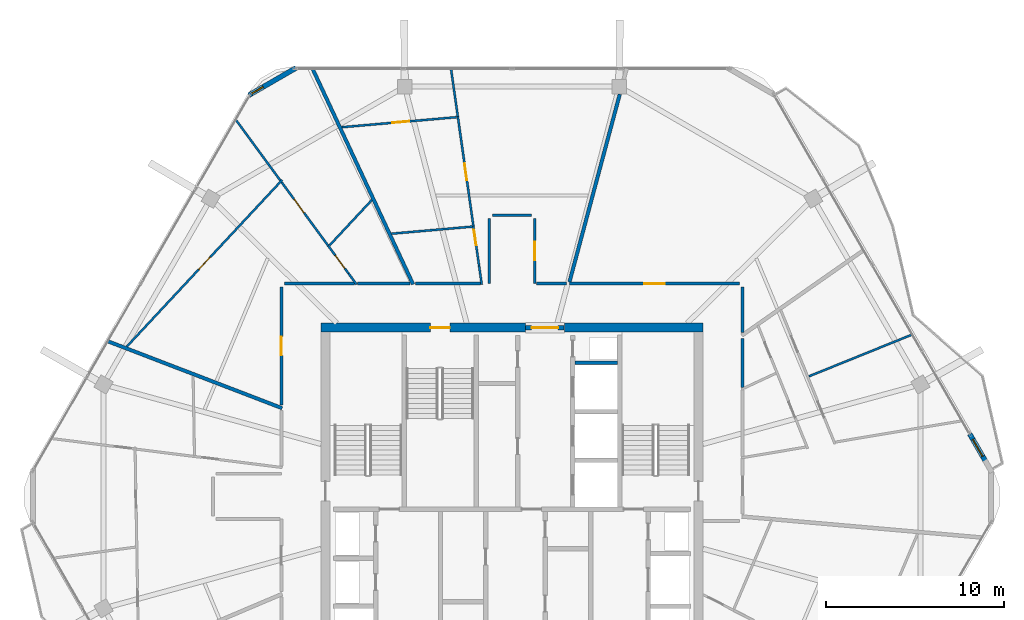
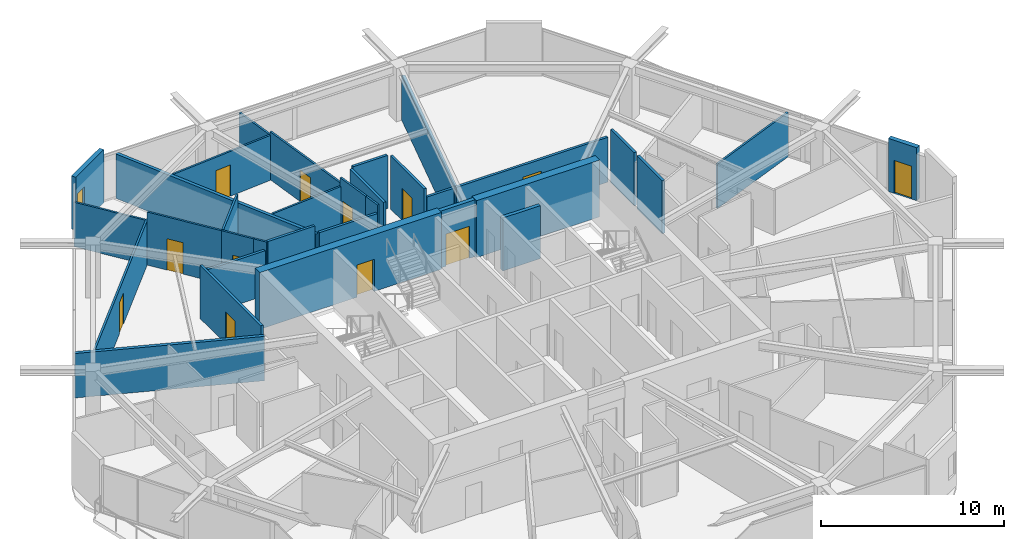
# One storey, part 17 of 21: 33 walls, 12 doors, 1 window, 13 openings.
"""IFC4 building model written with IfcOpenShell, lengths in metres."""

from ifc_helpers import new_model, si_unit, direction, frame, frame_2d, origin, place, context, subcontext, project, spatial, rectangle, extrude, material, layer, layer_set, type_object, element, fill, save


model = new_model("IFC4")

# Units and contexts
model_context = context("Model", 3, precision=1e-05, world=origin(), true_north=direction((0.0, 1.0)))
body_context = subcontext(model_context, "Body", "Model", "MODEL_VIEW")
ifc_project = project(units=[si_unit("LENGTHUNIT", "METRE"), si_unit("AREAUNIT", "SQUARE_METRE"), si_unit("VOLUMEUNIT", "CUBIC_METRE"), si_unit("PLANEANGLEUNIT", "RADIAN"), si_unit("MASSUNIT", "GRAM", prefix="KILO")], contexts=[model_context])

# Site, building, storey
site_placement = place(None, origin())
site = spatial("IfcSite", under=ifc_project, at=site_placement, CompositionType="ELEMENT")
building_placement = place(site_placement, origin())
building = spatial("IfcBuilding", under=site, at=building_placement, Name="Zuhravey Tower", CompositionType="ELEMENT")
storey_placement = place(building_placement, frame((0.0, 0.0, 319.60009765625)))
storey = spatial("IfcBuildingStorey", under=building, at=storey_placement, Name="L81", CompositionType="ELEMENT", Elevation=319.60009765625)

# Wall
ifc_material_1 = material(Name="Concrete C50/60", Category="concrete")
ifc_layer_1 = layer(ifc_material_1, 0.5)
ifc_layer_set_1 = layer_set([ifc_layer_1], Name="Concrete C50/60")
wall_type_1 = type_object("IfcWallType", Name="Core Shear Wall 500", PredefinedType="SHEAR", material=ifc_layer_set_1)
wall_1_placement = place(storey_placement, frame((46.75, 41.5, 0.0), z_axis=(0.0, 0.0, 1.0), x_axis=(-1.0, 0.0, 0.0)))
element("IfcWall", 1, at=wall_1_placement, inside=storey, type_object=wall_type_1, Name="L81 North-East Core Shear Wall CW50", PredefinedType="SHEAR", context=body_context, shape_type="SweptSolid", body=[
    extrude(rectangle(XDim=7.800048828125, YDim=0.5, at=frame_2d((3.89990234375, 0.0))), origin(), (0.0, 0.0, 1.0), 3.7998046875),
])

# Wall, opening, door
wall_2_placement = place(storey_placement, frame((36.75, 41.5, 0.0), z_axis=(0.0, 0.0, 1.0), x_axis=(-1.0, 0.0, 0.0)))
wall_2 = element("IfcWall", 2, at=wall_2_placement, inside=storey, type_object=wall_type_1, Name="L81 North-West Core Shear Wall CW50", PredefinedType="SHEAR", context=body_context, shape_type="SweptSolid", body=[
    extrude(rectangle(XDim=11.5, YDim=0.5, at=frame_2d((5.75, 0.0))), origin(), (0.0, 0.0, 1.0), 3.7998046875),
])
opening_1_placement = place(wall_2_placement, frame((4.25, 0.0, 0.0)))
opening_1 = element("IfcOpeningElement", 3, at=opening_1_placement, cuts=wall_2, Name="Opening STD1", PredefinedType="OPENING", context=body_context, shape_type="SweptSolid", body=[
    extrude(rectangle(XDim=1.10009765625, YDim=2.14990234375, at=frame_2d((0.550048828125, 1.074951171875))), frame((0.0, 0.261962890625, 0.0), z_axis=(0.0, -1.0, 0.0), x_axis=(1.0, 0.0, 0.0)), (0.0, 0.0, 1.0), 0.52392578125),
])
ifc_material_2 = material(Name="Galvanised fire-rated steel leaf", Category="steel")
door_type_1 = type_object("IfcDoorType", Name="Protected Stair Fire Door 1100x2150", OperationType="NOTDEFINED", PredefinedType="USERDEFINED", material=ifc_material_2)
door_1_placement = place(opening_1_placement, origin())
door_1 = element("IfcDoor", 4, at=door_1_placement, inside=storey, type_object=door_type_1, Name="L81 Stair ST3 Door", ObjectType="EXITDOOR", OperationType="SINGLE_SWING_LEFT", OverallHeight=2.14990234375, OverallWidth=1.10009765625, PredefinedType="USERDEFINED", context=body_context, shape_type="SweptSolid", body=[
    extrude(rectangle(XDim=1.10009765625, YDim=2.14990234375, at=frame_2d((0.550048828125, 1.074951171875))), frame((0.0, 0.02490234375, 0.0), z_axis=(0.0, -1.0, 0.0), x_axis=(1.0, 0.0, 0.0)), (0.0, 0.0, 1.0), 0.050048828125),
])
fill(opening_1, door_1)

ifc_material_3 = material(Name="Gypsum fire-rated stud partition")
ifc_layer_2 = layer(ifc_material_3, 0.159912109375)
ifc_layer_set_2 = layer_set([ifc_layer_2], Name="Gypsum fire-rated stud partition")
wall_type_2 = type_object("IfcWallType", Name="Corridor Fire Partition 160", PredefinedType="PARTITIONING", material=ifc_layer_set_2)
wall_3_placement = place(storey_placement, frame((23.02001953125, 43.800048828125, 0.0), z_axis=(0.0, 0.0, 1.0), x_axis=(0.0, -1.0, 0.0)))
wall_3 = element("IfcWall", 5, at=wall_3_placement, inside=storey, type_object=wall_type_2, Name="L81 IW16 Partition 025", PredefinedType="PARTITIONING", context=body_context, shape_type="SweptSolid", body=[
    extrude(rectangle(XDim=6.66552734375, YDim=0.159912109375, at=frame_2d((3.332763671875, 0.0))), origin(), (0.0, 0.0, 1.0), 3.5498046875),
])
opening_2_placement = place(wall_3_placement, frame((2.8076171875, 0.0, 0.0)))
opening_2 = element("IfcOpeningElement", 6, at=opening_2_placement, cuts=wall_3, Name="Opening APD1", PredefinedType="OPENING", context=body_context, shape_type="SweptSolid", body=[
    extrude(rectangle(XDim=1.050048828125, YDim=2.14990234375, at=frame_2d((0.52490234375, 1.074951171875))), frame((0.0, 0.092041015625, 0.0), z_axis=(0.0, -1.0, 0.0), x_axis=(1.0, 0.0, 0.0)), (0.0, 0.0, 1.0), 0.183837890625),
])
ifc_material_4 = material(Name="Solid-core oak fire-rated leaf")
door_type_2 = type_object("IfcDoorType", Name="Apartment Entrance Fire Door 1050x2150", OperationType="NOTDEFINED", PredefinedType="DOOR", material=ifc_material_4)
door_2_placement = place(opening_2_placement, frame((1.050048828125, 0.0, 0.0), z_axis=(0.0, 0.0, 1.0), x_axis=(-1.0, 0.0, 0.0)))
door_2 = element("IfcDoor", 7, at=door_2_placement, inside=storey, type_object=door_type_2, Name="L81 Door 025.1", OperationType="SINGLE_SWING_RIGHT", OverallHeight=2.14990234375, OverallWidth=1.050048828125, PredefinedType="DOOR", context=body_context, shape_type="SweptSolid", body=[
    extrude(rectangle(XDim=1.050048828125, YDim=2.14990234375, at=frame_2d((0.52490234375, 1.074951171875))), frame((0.0, 0.02490234375, 0.0), z_axis=(0.0, -1.0, 0.0), x_axis=(1.0, 0.0, 0.0)), (0.0, 0.0, 1.0), 0.050048828125),
])
fill(opening_2, door_2)

wall_4_placement = place(storey_placement, frame((48.800048828125, 43.97998046875, 0.0), z_axis=(0.0, 0.0, 1.0), x_axis=(-1.0, 0.0, 0.0)))
wall_4 = element("IfcWall", 8, at=wall_4_placement, inside=storey, type_object=wall_type_2, Name="L81 IW16 Partition 051", PredefinedType="PARTITIONING", context=body_context, shape_type="SweptSolid", body=[
    extrude(rectangle(XDim=9.5693359375, YDim=0.159912109375, at=frame_2d((4.78466796875, 0.0))), origin(), (0.0, 0.0, 1.0), 3.0),
])
opening_3_placement = place(wall_4_placement, frame((4.209716796875, 0.0, 0.0)))
opening_3 = element("IfcOpeningElement", 9, at=opening_3_placement, cuts=wall_4, Name="Opening CLD1", PredefinedType="OPENING", context=body_context, shape_type="SweptSolid", body=[
    extrude(rectangle(XDim=1.14990234375, YDim=2.199951171875, at=frame_2d((0.574951171875, 1.10009765625))), frame((0.0, 0.092041015625, 0.0), z_axis=(0.0, -1.0, 0.0), x_axis=(1.0, 0.0, 0.0)), (0.0, 0.0, 1.0), 0.183837890625),
])
ifc_material_5 = material(Name="Acoustic timber leaf with vision lite", Category="wood")
door_type_3 = type_object("IfcDoorType", Name="Classroom Acoustic Door 1150x2200", OperationType="NOTDEFINED", PredefinedType="DOOR", material=ifc_material_5)
door_3_placement = place(opening_3_placement, frame((1.14990234375, 0.0, 0.0), z_axis=(0.0, 0.0, 1.0), x_axis=(-1.0, 0.0, 0.0)))
door_3 = element("IfcDoor", 10, at=door_3_placement, inside=storey, type_object=door_type_3, Name="L81 Door 051.1", OperationType="SINGLE_SWING_RIGHT", OverallHeight=2.199951171875, OverallWidth=1.14990234375, PredefinedType="DOOR", context=body_context, shape_type="SweptSolid", body=[
    extrude(rectangle(XDim=1.14990234375, YDim=2.199951171875, at=frame_2d((0.574951171875, 1.10009765625))), frame((0.0, 0.02490234375, 0.0), z_axis=(0.0, -1.0, 0.0), x_axis=(1.0, 0.0, 0.0)), (0.0, 0.0, 1.0), 0.050048828125),
])
fill(opening_3, door_3)

wall_5_placement = place(storey_placement, frame((37.280029296875, 43.97998046875, 0.0), z_axis=(0.0, 0.0, 1.0), x_axis=(0.0, 1.0, 0.0)))
wall_5 = element("IfcWall", 11, at=wall_5_placement, inside=storey, type_object=wall_type_2, Name="L81 IW16 Partition 055", PredefinedType="PARTITIONING", context=body_context, shape_type="SweptSolid", body=[
    extrude(rectangle(XDim=3.669921875, YDim=0.159912109375, at=frame_2d((1.8349609375, 0.0))), origin(), (0.0, 0.0, 1.0), 3.5498046875),
])
opening_4_placement = place(wall_5_placement, frame((1.31005859375, 0.0, 0.0)))
opening_4 = element("IfcOpeningElement", 12, at=opening_4_placement, cuts=wall_5, Name="Opening APD1", PredefinedType="OPENING", context=body_context, shape_type="SweptSolid", body=[
    extrude(rectangle(XDim=1.050048828125, YDim=2.14990234375, at=frame_2d((0.52490234375, 1.074951171875))), frame((0.0, 0.092041015625, 0.0), z_axis=(0.0, -1.0, 0.0), x_axis=(1.0, 0.0, 0.0)), (0.0, 0.0, 1.0), 0.183837890625),
])
door_4_placement = place(opening_4_placement, origin())
door_4 = element("IfcDoor", 13, at=door_4_placement, inside=storey, type_object=door_type_2, Name="L81 Door 055.1", OperationType="SINGLE_SWING_RIGHT", OverallHeight=2.14990234375, OverallWidth=1.050048828125, PredefinedType="DOOR", context=body_context, shape_type="SweptSolid", body=[
    extrude(rectangle(XDim=1.050048828125, YDim=2.14990234375, at=frame_2d((0.52490234375, 1.074951171875))), frame((0.0, 0.02490234375, 0.0), z_axis=(0.0, -1.0, 0.0), x_axis=(1.0, 0.0, 0.0)), (0.0, 0.0, 1.0), 0.050048828125),
])
fill(opening_4, door_4)

# Walls
wall_6_placement = place(storey_placement, frame((27.131591796875, 43.97998046875, 0.0), z_axis=(0.0, 0.0, 1.0), x_axis=(-1.0, 0.0, 0.0)))
element("IfcWall", 14, at=wall_6_placement, inside=storey, type_object=wall_type_2, Name="L81 IW16 Partition 093", PredefinedType="PARTITIONING", context=body_context, shape_type="SweptSolid", body=[
    extrude(rectangle(XDim=3.931640625, YDim=0.159912109375, at=frame_2d((1.9658203125, 0.0))), origin(), (0.0, 0.0, 1.0), 3.0),
])
wall_7_placement = place(storey_placement, frame((30.263671875, 43.97998046875, 0.0), z_axis=(0.0, 0.0, 1.0), x_axis=(-1.0, 0.0, 0.0)))
element("IfcWall", 15, at=wall_7_placement, inside=storey, type_object=wall_type_2, Name="L81 IW16 Partition 094", PredefinedType="PARTITIONING", context=body_context, shape_type="SweptSolid", body=[
    extrude(rectangle(XDim=2.96337890625, YDim=0.159912109375, at=frame_2d((1.481689453125, 0.0))), origin(), (0.0, 0.0, 1.0), 3.5498046875),
])
wall_8_placement = place(storey_placement, frame((48.97998046875, 38.1318359375, 0.0), z_axis=(0.0, 0.0, 1.0), x_axis=(0.0, 1.0, 0.0)))
element("IfcWall", 16, at=wall_8_placement, inside=storey, type_object=wall_type_2, Name="L81 IW16 Partition 110", PredefinedType="PARTITIONING", context=body_context, shape_type="SweptSolid", body=[
    extrude(rectangle(XDim=2.7646484375, YDim=0.159912109375, at=frame_2d((1.38232421875, 0.0))), origin(), (0.0, 0.0, 1.0), 3.5498046875),
])
wall_9_placement = place(storey_placement, frame((48.97998046875, 41.220703125, 0.0), z_axis=(0.0, 0.0, 1.0), x_axis=(0.0, 1.0, 0.0)))
element("IfcWall", 17, at=wall_9_placement, inside=storey, type_object=wall_type_2, Name="L81 IW16 Partition 111", PredefinedType="PARTITIONING", context=body_context, shape_type="SweptSolid", body=[
    extrude(rectangle(XDim=2.579345703125, YDim=0.159912109375, at=frame_2d((1.28955078125, 0.0))), origin(), (0.0, 0.0, 1.0), 3.5498046875),
])
wall_10_placement = place(storey_placement, frame((34.719970703125, 47.64990234375, 0.0), z_axis=(0.0, 0.0, 1.0), x_axis=(0.0, -1.0, 0.0)))
element("IfcWall", 18, at=wall_10_placement, inside=storey, type_object=wall_type_2, Name="L81 IW16 Partition 112", PredefinedType="PARTITIONING", context=body_context, shape_type="SweptSolid", body=[
    extrude(rectangle(XDim=3.669921875, YDim=0.159912109375, at=frame_2d((1.8349609375, 0.0))), origin(), (0.0, 0.0, 1.0), 3.5498046875),
])
wall_11_placement = place(storey_placement, frame((37.10009765625, 47.830078125, 0.0), z_axis=(0.0, 0.0, 1.0), x_axis=(-1.0, 0.0, 0.0)))
element("IfcWall", 19, at=wall_11_placement, inside=storey, type_object=wall_type_2, Name="L81 IW16 Partition 113", PredefinedType="PARTITIONING", context=body_context, shape_type="SweptSolid", body=[
    extrude(rectangle(XDim=2.2001953125, YDim=0.159912109375, at=frame_2d((1.10009765625, 0.0))), origin(), (0.0, 0.0, 1.0), 3.5498046875),
])
wall_12_placement = place(storey_placement, frame((39.07763671875, 43.97998046875, 0.0), z_axis=(0.0, 0.0, 1.0), x_axis=(-1.0, 0.0, 0.0)))
element("IfcWall", 20, at=wall_12_placement, inside=storey, type_object=wall_type_2, Name="L81 IW16 Partition 114", PredefinedType="PARTITIONING", context=body_context, shape_type="SweptSolid", body=[
    extrude(rectangle(XDim=1.709716796875, YDim=0.159912109375, at=frame_2d((0.85498046875, 0.0))), origin(), (0.0, 0.0, 1.0), 3.0),
])
wall_13_placement = place(storey_placement, frame((34.221923828125, 43.97998046875, 0.0), z_axis=(0.0, 0.0, 1.0), x_axis=(-1.0, 0.0, 0.0)))
element("IfcWall", 21, at=wall_13_placement, inside=storey, type_object=wall_type_2, Name="L81 IW16 Partition 115", PredefinedType="PARTITIONING", context=body_context, shape_type="SweptSolid", body=[
    extrude(rectangle(XDim=3.659423828125, YDim=0.159912109375, at=frame_2d((1.82958984375, 0.0))), origin(), (0.0, 0.0, 1.0), 3.0),
])

# Wall, opening, window
ifc_material_6 = material(Name="Precast concrete C40/50", Category="concrete")
ifc_layer_3 = layer(ifc_material_6, 0.280029296875)
ifc_layer_set_3 = layer_set([ifc_layer_3], Name="Precast concrete C40/50")
wall_type_3 = type_object("IfcWallType", Name="Crown Architectural Wall 280", PredefinedType="SOLIDWALL", material=ifc_layer_set_3)
wall_14_placement = place(storey_placement, frame((21.188720703125, 54.589111328125, 0.0), z_axis=(0.0, 0.0, 1.0), x_axis=(0.866023752521, 0.50000286006, 0.0)))
wall_14 = element("IfcWall", 22, at=wall_14_placement, inside=storey, type_object=wall_type_3, Name="L81 Rounded Corner Closure Wall EW28-08", PredefinedType="SOLIDWALL", context=body_context, shape_type="SweptSolid", body=[
    extrude(rectangle(XDim=3.06494140625, YDim=0.280029296875, at=frame_2d((1.532470703125, 0.0))), origin(), (0.0, 0.0, 1.0), 3.5498046875),
])
opening_5_placement = place(wall_14_placement, frame((0.1728515625, 0.0, 0.85009765625)))
opening_5 = element("IfcOpeningElement", 23, at=opening_5_placement, cuts=wall_14, Name="Opening WN5", PredefinedType="OPENING", context=body_context, shape_type="SweptSolid", body=[
    extrude(rectangle(XDim=0.75, YDim=1.5, at=frame_2d((0.375, 0.75))), frame((0.0, 0.152099609375, 0.0), z_axis=(0.0, -1.0, 0.0), x_axis=(1.0, 0.0, 0.0)), (0.0, 0.0, 1.0), 0.303955078125),
])
ifc_material_7 = material(Name="Thermally broken aluminium and triple low-E glass", Category="aluminium")
window_type = type_object("IfcWindowType", Name="Residential Corner Casement Window 750x1500", PartitioningType="SINGLE_PANEL", PredefinedType="WINDOW", material=ifc_material_7)
window_placement = place(opening_5_placement, origin())
window = element("IfcWindow", 24, at=window_placement, inside=storey, type_object=window_type, Name="L81 Corner Casement Window WN5-08.1", OverallHeight=1.5, OverallWidth=0.75, PartitioningType="SINGLE_PANEL", PredefinedType="WINDOW", context=body_context, shape_type="SweptSolid", body=[
    extrude(rectangle(XDim=0.75, YDim=1.5, at=frame_2d((0.375, 0.75))), frame((0.0, 0.030029296875, 0.0), z_axis=(0.0, -1.0, 0.0), x_axis=(1.0, 0.0, 0.0)), (0.0, 0.0, 1.0), 0.06005859375),
])
fill(opening_5, window)

# Wall, opening, door
wall_15_placement = place(storey_placement, frame((61.77099609375, 35.51171875, 0.0), z_axis=(0.0, 0.0, 1.0), x_axis=(0.499982180423, -0.866035691677, 0.0)))
wall_15 = element("IfcWall", 25, at=wall_15_placement, inside=storey, type_object=wall_type_3, Name="L81 Face 1 Facade Pier EW28-1", PredefinedType="SOLIDWALL", context=body_context, shape_type="SweptSolid", body=[
    extrude(rectangle(XDim=1.7900390625, YDim=0.280029296875, at=frame_2d((0.89501953125, 0.0))), origin(), (0.0, 0.0, 1.0), 3.5498046875),
])
opening_6_placement = place(wall_15_placement, frame((0.344970703125, 0.0, 0.0)))
opening_6 = element("IfcOpeningElement", 26, at=opening_6_placement, cuts=wall_15, Name="Opening BLD1", PredefinedType="OPENING", context=body_context, shape_type="SweptSolid", body=[
    extrude(rectangle(XDim=1.10009765625, YDim=2.199951171875, at=frame_2d((0.550048828125, 1.10009765625))), frame((0.0, 0.152099609375, 0.0), z_axis=(0.0, -1.0, 0.0), x_axis=(1.0, 0.0, 0.0)), (0.0, 0.0, 1.0), 0.303955078125),
])
ifc_material_8 = material(Name="Thermally broken aluminium and low-E glass", Category="aluminium")
door_type_4 = type_object("IfcDoorType", Name="Balcony & Sky-Tray Glazed Door 1100x2200", OperationType="NOTDEFINED", PredefinedType="DOOR", material=ifc_material_8)
door_5_placement = place(opening_6_placement, frame((1.10009765625, 0.0, 0.0), z_axis=(0.0, 0.0, 1.0), x_axis=(-1.0, 0.0, 0.0)))
door_5 = element("IfcDoor", 27, at=door_5_placement, inside=storey, type_object=door_type_4, Name="L81 Face 1 Wave Balcony Door", OperationType="SINGLE_SWING_RIGHT", OverallHeight=2.199951171875, OverallWidth=1.10009765625, PredefinedType="DOOR", context=body_context, shape_type="SweptSolid", body=[
    extrude(rectangle(XDim=1.10009765625, YDim=2.199951171875, at=frame_2d((0.550048828125, 1.10009765625))), frame((0.0, 0.02490234375, 0.0), z_axis=(0.0, -1.0, 0.0), x_axis=(1.0, 0.0, 0.0)), (0.0, 0.0, 1.0), 0.050048828125),
])
fill(opening_6, door_5)

ifc_layer_4 = layer(ifc_material_1, 0.25)
ifc_layer_set_4 = layer_set([ifc_layer_4], Name="Concrete C50/60")
wall_type_4 = type_object("IfcWallType", Name="Firefighting Shaft & Stair Wall 250", PredefinedType="SOLIDWALL", material=ifc_layer_set_4)
wall_16_placement = place(storey_placement, frame((36.760009765625, 41.5, 0.0), z_axis=(0.0, 0.0, 1.0), x_axis=(1.0, 0.0, 0.0)))
wall_16 = element("IfcWall", 28, at=wall_16_placement, inside=storey, type_object=wall_type_4, Name="L81 FW25 Shaft Wall 002", PredefinedType="SOLIDWALL", context=body_context, shape_type="SweptSolid", body=[
    extrude(rectangle(XDim=2.179931640625, YDim=0.25, at=frame_2d((1.08984375, 0.0))), origin(), (0.0, 0.0, 1.0), 3.7998046875),
])
opening_7_placement = place(wall_16_placement, frame((0.340087890625, 0.0, 0.0)))
opening_7 = element("IfcOpeningElement", 29, at=opening_7_placement, cuts=wall_16, Name="Opening FFD1", PredefinedType="OPENING", context=body_context, shape_type="SweptSolid", body=[
    extrude(rectangle(XDim=1.5, YDim=2.14990234375, at=frame_2d((0.75, 1.074951171875))), frame((0.0, 0.136962890625, 0.0), z_axis=(0.0, -1.0, 0.0), x_axis=(1.0, 0.0, 0.0)), (0.0, 0.0, 1.0), 0.27392578125),
])
door_type_5 = type_object("IfcDoorType", Name="Firefighting Lobby Double Door 1500x2150", OperationType="DOUBLE_DOOR_SINGLE_SWING", PredefinedType="DOOR", material=ifc_material_2)
door_6_placement = place(opening_7_placement, origin())
door_6 = element("IfcDoor", 30, at=door_6_placement, inside=storey, type_object=door_type_5, Name="L81 North Lift Lobby Exit Door", OperationType="DOUBLE_DOOR_SINGLE_SWING", OverallHeight=2.14990234375, OverallWidth=1.5, PredefinedType="DOOR", context=body_context, shape_type="SweptSolid", body=[
    extrude(rectangle(XDim=1.5, YDim=2.14990234375, at=frame_2d((0.75, 1.074951171875))), frame((0.0, 0.02490234375, 0.0), z_axis=(0.0, -1.0, 0.0), x_axis=(1.0, 0.0, 0.0)), (0.0, 0.0, 1.0), 0.050048828125),
])
fill(opening_7, door_6)

# Walls
ifc_material_9 = material(Name="Gypsum double-stud party assembly")
ifc_layer_5 = layer(ifc_material_9, 0.199951171875)
ifc_layer_set_5 = layer_set([ifc_layer_5], Name="Gypsum double-stud party assembly")
wall_type_5 = type_object("IfcWallType", Name="Inter-Tenancy Party Wall 200", PredefinedType="PARTITIONING", material=ifc_layer_set_5)
wall_17_placement = place(storey_placement, frame((30.432373046875, 43.93994140625, 0.0), z_axis=(0.0, 0.0, 1.0), x_axis=(-0.422611922644, 0.906310742979, 0.0)))
element("IfcWall", 31, at=wall_17_placement, inside=storey, type_object=wall_type_5, Name="L81 IW20 Partition 060", PredefinedType="PARTITIONING", context=body_context, shape_type="SweptSolid", body=[
    extrude(rectangle(XDim=13.388671875, YDim=0.199951171875, at=frame_2d((6.6943359375, 0.0))), origin(), (0.0, 0.0, 1.0), 2.969970703125),
])
wall_18_placement = place(storey_placement, frame((23.06005859375, 36.96728515625, 0.0), z_axis=(0.0, 0.0, 1.0), x_axis=(-0.933584200724, 0.358358117194, 0.0)))
element("IfcWall", 32, at=wall_18_placement, inside=storey, type_object=wall_type_5, Name="L81 IW20 Partition 063", PredefinedType="PARTITIONING", context=body_context, shape_type="SweptSolid", body=[
    extrude(rectangle(XDim=10.513427734375, YDim=0.199951171875, at=frame_2d((5.2568359375, 0.0))), origin(), (0.0, 0.0, 1.0), 2.969970703125),
])
wall_19_placement = place(storey_placement, frame((39.233642578125, 44.068115234375, 0.0), z_axis=(0.0, 0.0, 1.0), x_axis=(0.258812989646, 0.965927448823, 0.0)))
element("IfcWall", 33, at=wall_19_placement, inside=storey, type_object=wall_type_5, Name="L81 IW20 Partition 088", PredefinedType="PARTITIONING", context=body_context, shape_type="SweptSolid", body=[
    extrude(rectangle(XDim=10.948974609375, YDim=0.199951171875, at=frame_2d((5.474609375, 0.0))), origin(), (0.0, 0.0, 1.0), 3.0),
])
ifc_material_10 = material(Name="Gypsum acoustic stud assembly")
ifc_layer_6 = layer(ifc_material_10, 0.219970703125)
ifc_layer_set_6 = layer_set([ifc_layer_6], Name="Gypsum acoustic stud assembly")
wall_type_6 = type_object("IfcWallType", Name="School Acoustic Compartment Wall 220", PredefinedType="PARTITIONING", material=ifc_layer_set_6)
wall_20_placement = place(storey_placement, frame((39.55810546875, 39.52490234375, 0.0), z_axis=(0.0, 0.0, 1.0), x_axis=(1.0, 0.0, 0.0)))
element("IfcWall", 34, at=wall_20_placement, inside=storey, type_object=wall_type_6, Name="L81 IW22 Partition 059", PredefinedType="PARTITIONING", context=body_context, shape_type="SweptSolid", body=[
    extrude(rectangle(XDim=2.3837890625, YDim=0.219970703125, at=frame_2d((1.19189453125, 0.0))), origin(), (0.0, 0.0, 1.0), 3.5498046875),
])

# Wall, opening, door
ifc_material_11 = material(Name="Gypsum metal-stud partition")
ifc_layer_7 = layer(ifc_material_11, 0.1201171875)
ifc_layer_set_7 = layer_set([ifc_layer_7], Name="Gypsum metal-stud partition")
wall_type_7 = type_object("IfcWallType", Name="Unit Internal Partition 120", PredefinedType="PARTITIONING", material=ifc_layer_set_7)
wall_21_placement = place(storey_placement, frame((23.0615234375, 49.81494140625, 0.0), z_axis=(0.0, 0.0, 1.0), x_axis=(-0.681996709379, -0.731355240903, 0.0)))
wall_21 = element("IfcWall", 35, at=wall_21_placement, inside=storey, type_object=wall_type_7, Name="L81 IW12 Partition 021", PredefinedType="PARTITIONING", context=body_context, shape_type="SweptSolid", body=[
    extrude(rectangle(XDim=12.82568359375, YDim=0.1201171875, at=frame_2d((6.412841796875, 0.0))), origin(), (0.0, 0.0, 1.0), 2.969970703125),
])
opening_8_placement = place(wall_21_placement, frame((5.93798828125, 0.0, 0.0)))
opening_8 = element("IfcOpeningElement", 36, at=opening_8_placement, cuts=wall_21, Name="Opening IND1", PredefinedType="OPENING", context=body_context, shape_type="SweptSolid", body=[
    extrude(rectangle(XDim=0.949951171875, YDim=2.10009765625, at=frame_2d((0.47509765625, 1.050048828125))), frame((0.0, 0.072021484375, 0.0), z_axis=(0.0, -1.0, 0.0), x_axis=(1.0, 0.0, 0.0)), (0.0, 0.0, 1.0), 0.14404296875),
])
ifc_material_12 = material(Name="Painted engineered timber leaf", Category="wood")
door_type_6 = type_object("IfcDoorType", Name="Internal Room & Bedroom Door 950x2100", OperationType="NOTDEFINED", PredefinedType="DOOR", material=ifc_material_12)
door_7_placement = place(opening_8_placement, frame((0.949951171875, 0.0, 0.0), z_axis=(0.0, 0.0, 1.0), x_axis=(-1.0, 0.0, 0.0)))
door_7 = element("IfcDoor", 37, at=door_7_placement, inside=storey, type_object=door_type_6, Name="Apartment L81-01 Family Study Door", OperationType="SINGLE_SWING_LEFT", OverallHeight=2.10009765625, OverallWidth=0.949951171875, PredefinedType="DOOR", context=body_context, shape_type="SweptSolid", body=[
    extrude(rectangle(XDim=0.949951171875, YDim=2.10009765625, at=frame_2d((0.47509765625, 1.050048828125))), frame((0.0, 0.02490234375, 0.0), z_axis=(0.0, -1.0, 0.0), x_axis=(1.0, 0.0, 0.0)), (0.0, 0.0, 1.0), 0.050048828125),
])
fill(opening_8, door_7)

wall_22_placement = place(storey_placement, frame((26.798095703125, 44.550048828125, 0.0), z_axis=(0.0, 0.0, 1.0), x_axis=(-0.591341620245, 0.80642116054, 0.0)))
wall_22 = element("IfcWall", 38, at=wall_22_placement, inside=storey, type_object=wall_type_7, Name="L81 IW12 Partition 022", PredefinedType="PARTITIONING", context=body_context, shape_type="SweptSolid", body=[
    extrude(rectangle(XDim=1.920654296875, YDim=0.1201171875, at=frame_2d((0.96044921875, 0.0))), origin(), (0.0, 0.0, 1.0), 3.5498046875),
])
opening_9_placement = place(wall_22_placement, frame((0.356689453125, 0.0, 0.0)))
opening_9 = element("IfcOpeningElement", 39, at=opening_9_placement, cuts=wall_22, Name="Opening WCD1", PredefinedType="OPENING", context=body_context, shape_type="SweptSolid", body=[
    extrude(rectangle(XDim=0.89990234375, YDim=2.10009765625, at=frame_2d((0.449951171875, 1.050048828125))), frame((0.0, 0.072021484375, 0.0), z_axis=(0.0, -1.0, 0.0), x_axis=(1.0, 0.0, 0.0)), (0.0, 0.0, 1.0), 0.14404296875),
])
ifc_material_13 = material(Name="Moisture-resistant timber leaf", Category="wood")
door_type_7 = type_object("IfcDoorType", Name="Bathroom & WC Internal Door 900x2100", OperationType="NOTDEFINED", PredefinedType="DOOR", material=ifc_material_13)
door_8_placement = place(opening_9_placement, frame((0.89990234375, 0.0, 0.0), z_axis=(0.0, 0.0, 1.0), x_axis=(-1.0, 0.0, 0.0)))
door_8 = element("IfcDoor", 40, at=door_8_placement, inside=storey, type_object=door_type_7, Name="Apartment L81-01 Bathroom Door", OperationType="SINGLE_SWING_RIGHT", OverallHeight=2.10009765625, OverallWidth=0.89990234375, PredefinedType="DOOR", context=body_context, shape_type="SweptSolid", body=[
    extrude(rectangle(XDim=0.89990234375, YDim=2.10009765625, at=frame_2d((0.449951171875, 1.050048828125))), frame((0.0, 0.02490234375, 0.0), z_axis=(0.0, -1.0, 0.0), x_axis=(1.0, 0.0, 0.0)), (0.0, 0.0, 1.0), 0.050048828125),
])
fill(opening_9, door_8)

wall_23_placement = place(storey_placement, frame((25.662353515625, 46.098876953125, 0.0), z_axis=(0.0, 0.0, 1.0), x_axis=(-0.591311292855, 0.806443398474, 0.0)))
wall_23 = element("IfcWall", 41, at=wall_23_placement, inside=storey, type_object=wall_type_7, Name="L81 IW12 Partition 023", PredefinedType="PARTITIONING", context=body_context, shape_type="SweptSolid", body=[
    extrude(rectangle(XDim=4.4462890625, YDim=0.1201171875, at=frame_2d((2.22314453125, 0.0))), origin(), (0.0, 0.0, 1.0), 3.5498046875),
])
opening_10_placement = place(wall_23_placement, frame((2.314453125, 0.0, 0.0)))
opening_10 = element("IfcOpeningElement", 42, at=opening_10_placement, cuts=wall_23, Name="Opening IND1", PredefinedType="OPENING", context=body_context, shape_type="SweptSolid", body=[
    extrude(rectangle(XDim=0.949951171875, YDim=2.10009765625, at=frame_2d((0.47509765625, 1.050048828125))), frame((0.0, 0.072021484375, 0.0), z_axis=(0.0, -1.0, 0.0), x_axis=(1.0, 0.0, 0.0)), (0.0, 0.0, 1.0), 0.14404296875),
])
door_9_placement = place(opening_10_placement, frame((0.949951171875, 0.0, 0.0), z_axis=(0.0, 0.0, 1.0), x_axis=(-1.0, 0.0, 0.0)))
door_9 = element("IfcDoor", 43, at=door_9_placement, inside=storey, type_object=door_type_6, Name="Apartment L81-01 Bedroom 1 Door", OperationType="SINGLE_SWING_LEFT", OverallHeight=2.10009765625, OverallWidth=0.949951171875, PredefinedType="DOOR", context=body_context, shape_type="SweptSolid", body=[
    extrude(rectangle(XDim=0.949951171875, YDim=2.10009765625, at=frame_2d((0.47509765625, 1.050048828125))), frame((0.0, 0.02490234375, 0.0), z_axis=(0.0, -1.0, 0.0), x_axis=(1.0, 0.0, 0.0)), (0.0, 0.0, 1.0), 0.050048828125),
])
fill(opening_10, door_9)

# Wall
wall_24_placement = place(storey_placement, frame((22.951171875, 49.796142578125, 0.0), z_axis=(0.0, 0.0, 1.0), x_axis=(-0.591303744842, 0.806448932875, 0.0)))
element("IfcWall", 44, at=wall_24_placement, inside=storey, type_object=wall_type_7, Name="L81 IW12 Partition 024", PredefinedType="PARTITIONING", context=body_context, shape_type="SweptSolid", body=[
    extrude(rectangle(XDim=4.239501953125, YDim=0.1201171875, at=frame_2d((2.11962890625, 0.0))), origin(), (0.0, 0.0, 1.0), 2.969970703125),
])

# Wall, opening, door
wall_25_placement = place(storey_placement, frame((34.14990234375, 44.96630859375, 0.0), z_axis=(0.0, 0.0, 1.0), x_axis=(-0.141196039745, 0.989981655568, 0.0)))
wall_25 = element("IfcWall", 45, at=wall_25_placement, inside=storey, type_object=wall_type_7, Name="L81 IW12 Partition 052", PredefinedType="PARTITIONING", context=body_context, shape_type="SweptSolid", body=[
    extrude(rectangle(XDim=2.275390625, YDim=0.1201171875, at=frame_2d((1.1376953125, 0.0))), origin(), (0.0, 0.0, 1.0), 3.5498046875),
])
opening_11_placement = place(wall_25_placement, frame((1.17529296875, 0.0, 0.0)))
opening_11 = element("IfcOpeningElement", 46, at=opening_11_placement, cuts=wall_25, Name="Opening WCD1", PredefinedType="OPENING", context=body_context, shape_type="SweptSolid", body=[
    extrude(rectangle(XDim=0.89990234375, YDim=2.10009765625, at=frame_2d((0.449951171875, 1.050048828125))), frame((0.0, 0.072021484375, 0.0), z_axis=(0.0, -1.0, 0.0), x_axis=(1.0, 0.0, 0.0)), (0.0, 0.0, 1.0), 0.14404296875),
])
door_10_placement = place(opening_11_placement, origin())
door_10 = element("IfcDoor", 47, at=door_10_placement, inside=storey, type_object=door_type_7, Name="Apartment L81-09 Bathroom Door", OperationType="SINGLE_SWING_LEFT", OverallHeight=2.10009765625, OverallWidth=0.89990234375, PredefinedType="DOOR", context=body_context, shape_type="SweptSolid", body=[
    extrude(rectangle(XDim=0.89990234375, YDim=2.10009765625, at=frame_2d((0.449951171875, 1.050048828125))), frame((0.0, 0.02490234375, 0.0), z_axis=(0.0, -1.0, 0.0), x_axis=(1.0, 0.0, 0.0)), (0.0, 0.0, 1.0), 0.050048828125),
])
fill(opening_11, door_10)

wall_26_placement = place(storey_placement, frame((33.82861328125, 47.218994140625, 0.0), z_axis=(0.0, 0.0, 1.0), x_axis=(-0.141245630481, 0.989974581426, 0.0)))
wall_26 = element("IfcWall", 48, at=wall_26_placement, inside=storey, type_object=wall_type_7, Name="L81 IW12 Partition 053", PredefinedType="PARTITIONING", context=body_context, shape_type="SweptSolid", body=[
    extrude(rectangle(XDim=6.224365234375, YDim=0.1201171875, at=frame_2d((3.1123046875, 0.0))), origin(), (0.0, 0.0, 1.0), 3.199951171875),
])
opening_12_placement = place(wall_26_placement, frame((2.612060546875, 0.0, 0.0)))
opening_12 = element("IfcOpeningElement", 49, at=opening_12_placement, cuts=wall_26, Name="Opening IND1", PredefinedType="OPENING", context=body_context, shape_type="SweptSolid", body=[
    extrude(rectangle(XDim=0.949951171875, YDim=2.10009765625, at=frame_2d((0.47509765625, 1.050048828125))), frame((0.0, 0.072021484375, 0.0), z_axis=(0.0, -1.0, 0.0), x_axis=(1.0, 0.0, 0.0)), (0.0, 0.0, 1.0), 0.14404296875),
])
door_11_placement = place(opening_12_placement, origin())
door_11 = element("IfcDoor", 50, at=door_11_placement, inside=storey, type_object=door_type_6, Name="Apartment L81-09 Home Office Door", OperationType="SINGLE_SWING_RIGHT", OverallHeight=2.10009765625, OverallWidth=0.949951171875, PredefinedType="DOOR", context=body_context, shape_type="SweptSolid", body=[
    extrude(rectangle(XDim=0.949951171875, YDim=2.10009765625, at=frame_2d((0.47509765625, 1.050048828125))), frame((0.0, 0.02490234375, 0.0), z_axis=(0.0, -1.0, 0.0), x_axis=(1.0, 0.0, 0.0)), (0.0, 0.0, 1.0), 0.050048828125),
])
fill(opening_12, door_11)

wall_27_placement = place(storey_placement, frame((32.885009765625, 53.35009765625, 0.0), z_axis=(0.0, 0.0, 1.0), x_axis=(-0.996192737693, -0.087178147311, 0.0)))
wall_27 = element("IfcWall", 51, at=wall_27_placement, inside=storey, type_object=wall_type_7, Name="L81 IW12 Partition 054", PredefinedType="PARTITIONING", context=body_context, shape_type="SweptSolid", body=[
    extrude(rectangle(XDim=6.491455078125, YDim=0.1201171875, at=frame_2d((3.24560546875, 0.0))), origin(), (0.0, 0.0, 1.0), 3.0),
])
opening_13_placement = place(wall_27_placement, frame((2.6865234375, 0.0, 0.0)))
opening_13 = element("IfcOpeningElement", 52, at=opening_13_placement, cuts=wall_27, Name="Opening IND1", PredefinedType="OPENING", context=body_context, shape_type="SweptSolid", body=[
    extrude(rectangle(XDim=0.949951171875, YDim=2.10009765625, at=frame_2d((0.47509765625, 1.050048828125))), frame((0.0, 0.072021484375, 0.0), z_axis=(0.0, -1.0, 0.0), x_axis=(1.0, 0.0, 0.0)), (0.0, 0.0, 1.0), 0.14404296875),
])
door_12_placement = place(opening_13_placement, frame((0.949951171875, 0.0, 0.0), z_axis=(0.0, 0.0, 1.0), x_axis=(-1.0, 0.0, 0.0)))
door_12 = element("IfcDoor", 53, at=door_12_placement, inside=storey, type_object=door_type_6, Name="Apartment L81-09 Bedroom 1 Door", OperationType="SINGLE_SWING_LEFT", OverallHeight=2.10009765625, OverallWidth=0.949951171875, PredefinedType="DOOR", context=body_context, shape_type="SweptSolid", body=[
    extrude(rectangle(XDim=0.949951171875, YDim=2.10009765625, at=frame_2d((0.47509765625, 1.050048828125))), frame((0.0, 0.02490234375, 0.0), z_axis=(0.0, -1.0, 0.0), x_axis=(1.0, 0.0, 0.0)), (0.0, 0.0, 1.0), 0.050048828125),
])
fill(opening_13, door_12)

# Walls
wall_28_placement = place(storey_placement, frame((27.248779296875, 43.93505859375, 0.0), z_axis=(0.0, 0.0, 1.0), x_axis=(-0.591099878677, 0.806598371824, 0.0)))
element("IfcWall", 54, at=wall_28_placement, inside=storey, type_object=wall_type_7, Name="L81 IW12 Partition 061", PredefinedType="PARTITIONING", context=body_context, shape_type="SweptSolid", body=[
    extrude(rectangle(XDim=0.762451171875, YDim=0.1201171875, at=frame_2d((0.38134765625, 0.0))), origin(), (0.0, 0.0, 1.0), 3.5498046875),
])
wall_29_placement = place(storey_placement, frame((28.10302734375, 48.6796875, 0.0), z_axis=(0.0, 0.0, 1.0), x_axis=(-0.681964001054, -0.731385740404, 0.0)))
element("IfcWall", 55, at=wall_29_placement, inside=storey, type_object=wall_type_7, Name="L81 IW12 Partition 062", PredefinedType="PARTITIONING", context=body_context, shape_type="SweptSolid", body=[
    extrude(rectangle(XDim=3.487548828125, YDim=0.1201171875, at=frame_2d((1.74365234375, 0.0))), origin(), (0.0, 0.0, 1.0), 3.5498046875),
])
wall_30_placement = place(storey_placement, frame((52.713623046875, 38.759521484375, 0.0), z_axis=(0.0, 0.0, 1.0), x_axis=(0.927048652302, 0.374941057056, 0.0)))
element("IfcWall", 56, at=wall_30_placement, inside=storey, type_object=wall_type_7, Name="L81 IW12 Partition 084", PredefinedType="PARTITIONING", context=body_context, shape_type="SweptSolid", body=[
    extrude(rectangle(XDim=6.290771484375, YDim=0.1201171875, at=frame_2d((3.1455078125, 0.0))), origin(), (0.0, 0.0, 1.0), 2.969970703125),
])
wall_31_placement = place(storey_placement, frame((34.297119140625, 43.935302734375, 0.0), z_axis=(0.0, 0.0, 1.0), x_axis=(-0.141355718114, 0.989958868316, 0.0)))
element("IfcWall", 57, at=wall_31_placement, inside=storey, type_object=wall_type_7, Name="L81 IW12 Partition 090", PredefinedType="PARTITIONING", context=body_context, shape_type="SweptSolid", body=[
    extrude(rectangle(XDim=1.04150390625, YDim=0.1201171875, at=frame_2d((0.520751953125, 0.0))), origin(), (0.0, 0.0, 1.0), 3.5498046875),
])
wall_32_placement = place(storey_placement, frame((32.949462890625, 53.380859375, 0.0), z_axis=(0.0, 0.0, 1.0), x_axis=(-0.141258329488, 0.989972769499, 0.0)))
element("IfcWall", 58, at=wall_32_placement, inside=storey, type_object=wall_type_7, Name="L81 IW12 Partition 091", PredefinedType="PARTITIONING", context=body_context, shape_type="SweptSolid", body=[
    extrude(rectangle(XDim=2.7255859375, YDim=0.1201171875, at=frame_2d((1.36279296875, 0.0))), origin(), (0.0, 0.0, 1.0), 2.969970703125),
])
wall_33_placement = place(storey_placement, frame((33.764404296875, 47.18798828125, 0.0), z_axis=(0.0, 0.0, 1.0), x_axis=(-0.996198075211, -0.087117133479, 0.0)))
element("IfcWall", 59, at=wall_33_placement, inside=storey, type_object=wall_type_7, Name="L81 IW12 Partition 092", PredefinedType="PARTITIONING", context=body_context, shape_type="SweptSolid", body=[
    extrude(rectangle(XDim=4.5595703125, YDim=0.1201171875, at=frame_2d((2.27978515625, 0.0))), origin(), (0.0, 0.0, 1.0), 3.0),
])

save(model, "model.ifc")
